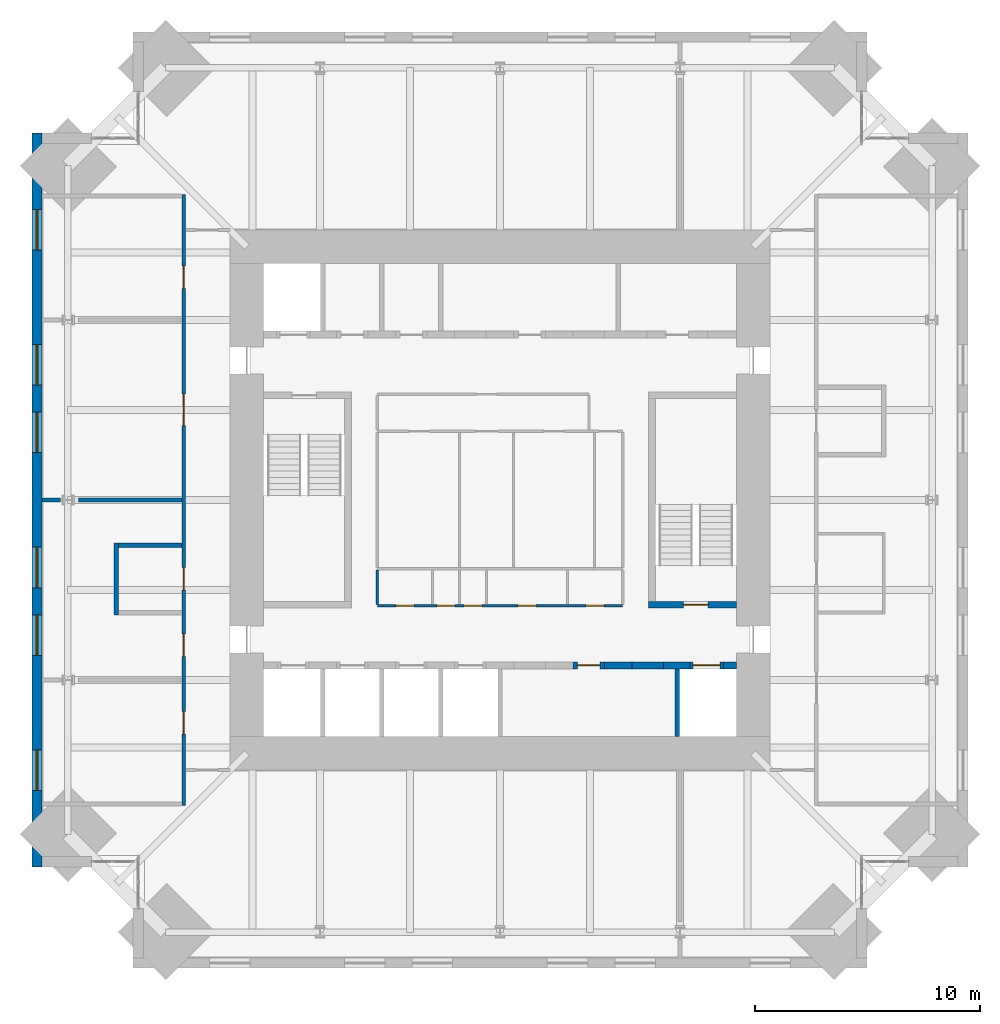
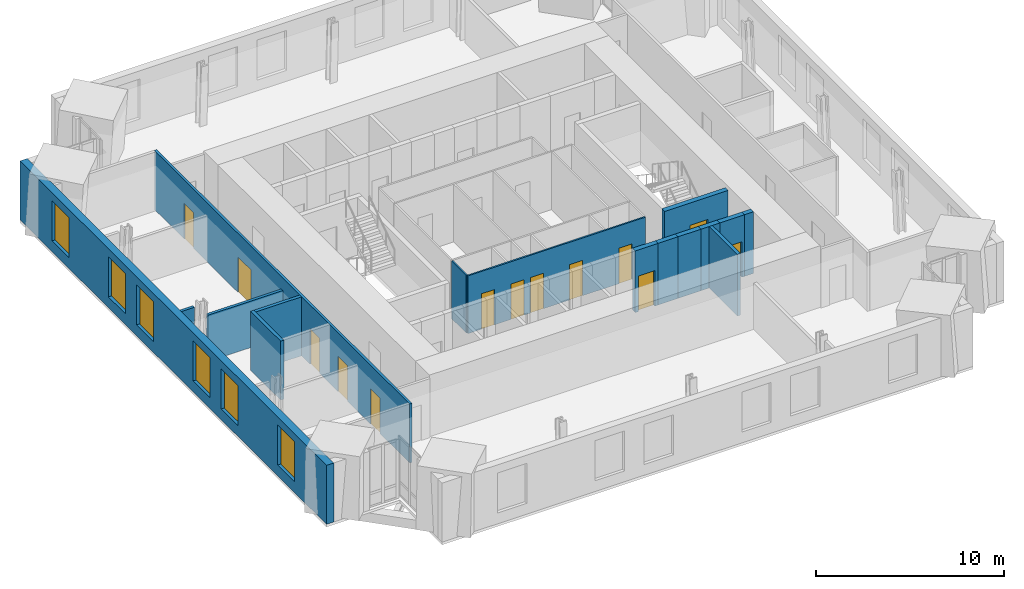
# One storey, part 11 of 15: 16 walls, 13 doors, 6 windows, 19 openings.
"""IFC4 building model written with IfcOpenShell, lengths in metres."""

from ifc_helpers import new_model, si_unit, direction, frame, frame_2d, origin, place, context, subcontext, project, spatial, rectangle, extrude, material, layer, layer_set, type_object, element, fill, save


model = new_model("IFC4")

# Units and contexts
model_context = context("Model", 3, precision=1e-05, world=origin(), true_north=direction((0.0, 1.0)))
body_context = subcontext(model_context, "Body", "Model", "MODEL_VIEW")
ifc_project = project(units=[si_unit("LENGTHUNIT", "METRE"), si_unit("AREAUNIT", "SQUARE_METRE"), si_unit("VOLUMEUNIT", "CUBIC_METRE"), si_unit("PLANEANGLEUNIT", "RADIAN"), si_unit("MASSUNIT", "GRAM", prefix="KILO")], contexts=[model_context])

# Site, building, storey
site_placement = place(None, origin())
site = spatial("IfcSite", under=ifc_project, at=site_placement, CompositionType="ELEMENT")
building_placement = place(site_placement, origin())
building = spatial("IfcBuilding", under=site, at=building_placement, Name="Peilmerk Tower", CompositionType="ELEMENT")
storey_placement = place(building_placement, frame((0.0, 0.0, 289.800048828125)))
storey = spatial("IfcBuildingStorey", under=building, at=storey_placement, Name="L65", CompositionType="ELEMENT", Elevation=289.800048828125)

# Wall, openings, windows
ifc_material_1 = material(Name="Precast concrete C45/55, board-marked finish", Category="concrete")
ifc_layer_1 = layer(ifc_material_1, 0.449951171875)
ifc_layer_set_1 = layer_set([ifc_layer_1], Name="Precast concrete C45/55, board-marked finish")
wall_type_1 = type_object("IfcWallType", Name="EW1 450 precast concrete facade wall, board-marked", PredefinedType="SOLIDWALL", material=ifc_layer_set_1)
wall_1_placement = place(storey_placement, frame((-20.574951171875, 16.300048828125, 0.0), z_axis=(0.0, 0.0, 1.0), x_axis=(0.0, -1.0, 0.0)))
wall_1 = element("IfcWall", 1, at=wall_1_placement, inside=storey, type_object=wall_type_1, Name="Facade wall W L65", PredefinedType="SOLIDWALL", context=body_context, shape_type="SweptSolid", body=[
    extrude(rectangle(XDim=32.60009765625, YDim=0.449951171875, at=frame_2d((16.300048828125, 0.0))), origin(), (0.0, 0.0, 1.0), 3.829833984375),
])
opening_1_placement = place(wall_1_placement, frame((3.39990234375, 0.0, 0.699951171875)))
opening_1 = element("IfcOpeningElement", 2, at=opening_1_placement, cuts=wall_1, Name="Opening W1", PredefinedType="OPENING", context=body_context, shape_type="SweptSolid", body=[
    extrude(rectangle(XDim=1.800048828125, YDim=2.60009765625, at=frame_2d((0.89990234375, 1.300048828125))), frame((0.0, 0.23486328125, 0.0), z_axis=(0.0, -1.0, 0.0), x_axis=(1.0, 0.0, 0.0)), (0.0, 0.0, 1.0), 0.469970703125),
])
opening_2_placement = place(wall_1_placement, frame((9.39990234375, 0.0, 0.699951171875)))
opening_2 = element("IfcOpeningElement", 3, at=opening_2_placement, cuts=wall_1, Name="Opening W1", PredefinedType="OPENING", context=body_context, shape_type="SweptSolid", body=[
    extrude(rectangle(XDim=1.800048828125, YDim=2.60009765625, at=frame_2d((0.89990234375, 1.300048828125))), frame((0.0, 0.23486328125, 0.0), z_axis=(0.0, -1.0, 0.0), x_axis=(1.0, 0.0, 0.0)), (0.0, 0.0, 1.0), 0.469970703125),
])
opening_3_placement = place(wall_1_placement, frame((12.39990234375, 0.0, 0.699951171875)))
opening_3 = element("IfcOpeningElement", 4, at=opening_3_placement, cuts=wall_1, Name="Opening W1", PredefinedType="OPENING", context=body_context, shape_type="SweptSolid", body=[
    extrude(rectangle(XDim=1.800048828125, YDim=2.60009765625, at=frame_2d((0.89990234375, 1.300048828125))), frame((0.0, 0.23486328125, 0.0), z_axis=(0.0, -1.0, 0.0), x_axis=(1.0, 0.0, 0.0)), (0.0, 0.0, 1.0), 0.469970703125),
])
opening_4_placement = place(wall_1_placement, frame((18.39990234375, 0.0, 0.699951171875)))
opening_4 = element("IfcOpeningElement", 5, at=opening_4_placement, cuts=wall_1, Name="Opening W1", PredefinedType="OPENING", context=body_context, shape_type="SweptSolid", body=[
    extrude(rectangle(XDim=1.800048828125, YDim=2.60009765625, at=frame_2d((0.89990234375, 1.300048828125))), frame((0.0, 0.23486328125, 0.0), z_axis=(0.0, -1.0, 0.0), x_axis=(1.0, 0.0, 0.0)), (0.0, 0.0, 1.0), 0.469970703125),
])
opening_5_placement = place(wall_1_placement, frame((21.39990234375, 0.0, 0.699951171875)))
opening_5 = element("IfcOpeningElement", 6, at=opening_5_placement, cuts=wall_1, Name="Opening W1", PredefinedType="OPENING", context=body_context, shape_type="SweptSolid", body=[
    extrude(rectangle(XDim=1.800048828125, YDim=2.60009765625, at=frame_2d((0.89990234375, 1.300048828125))), frame((0.0, 0.23486328125, 0.0), z_axis=(0.0, -1.0, 0.0), x_axis=(1.0, 0.0, 0.0)), (0.0, 0.0, 1.0), 0.469970703125),
])
opening_6_placement = place(wall_1_placement, frame((27.39990234375, 0.0, 0.699951171875)))
opening_6 = element("IfcOpeningElement", 7, at=opening_6_placement, cuts=wall_1, Name="Opening W1", PredefinedType="OPENING", context=body_context, shape_type="SweptSolid", body=[
    extrude(rectangle(XDim=1.800048828125, YDim=2.60009765625, at=frame_2d((0.89990234375, 1.300048828125))), frame((0.0, 0.23486328125, 0.0), z_axis=(0.0, -1.0, 0.0), x_axis=(1.0, 0.0, 0.0)), (0.0, 0.0, 1.0), 0.469970703125),
])
ifc_material_2 = material(Name="Aluminium frame, clear double glazing", Category="aluminium")
window_type = type_object("IfcWindowType", Name="W1 1800x2600 office window", PartitioningType="SINGLE_PANEL", PredefinedType="WINDOW", material=ifc_material_2)
window_1_placement = place(opening_1_placement, origin())
window_1 = element("IfcWindow", 8, at=window_1_placement, inside=storey, type_object=window_type, Name="Window W1 L65", OverallHeight=2.60009765625, OverallWidth=1.800048828125, PartitioningType="SINGLE_PANEL", PredefinedType="WINDOW", context=body_context, shape_type="SweptSolid", body=[
    extrude(rectangle(XDim=1.800048828125, YDim=2.60009765625, at=frame_2d((0.89990234375, 1.300048828125))), frame((0.0, 0.030029296875, 0.0), z_axis=(0.0, -1.0, 0.0), x_axis=(1.0, 0.0, 0.0)), (0.0, 0.0, 1.0), 0.06005859375),
])
fill(opening_1, window_1)
window_2_placement = place(opening_2_placement, origin())
window_2 = element("IfcWindow", 9, at=window_2_placement, inside=storey, type_object=window_type, Name="Window W1 L65", OverallHeight=2.60009765625, OverallWidth=1.800048828125, PartitioningType="SINGLE_PANEL", PredefinedType="WINDOW", context=body_context, shape_type="SweptSolid", body=[
    extrude(rectangle(XDim=1.800048828125, YDim=2.60009765625, at=frame_2d((0.89990234375, 1.300048828125))), frame((0.0, 0.030029296875, 0.0), z_axis=(0.0, -1.0, 0.0), x_axis=(1.0, 0.0, 0.0)), (0.0, 0.0, 1.0), 0.06005859375),
])
fill(opening_2, window_2)
window_3_placement = place(opening_3_placement, origin())
window_3 = element("IfcWindow", 10, at=window_3_placement, inside=storey, type_object=window_type, Name="Window W1 L65", OverallHeight=2.60009765625, OverallWidth=1.800048828125, PartitioningType="SINGLE_PANEL", PredefinedType="WINDOW", context=body_context, shape_type="SweptSolid", body=[
    extrude(rectangle(XDim=1.800048828125, YDim=2.60009765625, at=frame_2d((0.89990234375, 1.300048828125))), frame((0.0, 0.030029296875, 0.0), z_axis=(0.0, -1.0, 0.0), x_axis=(1.0, 0.0, 0.0)), (0.0, 0.0, 1.0), 0.06005859375),
])
fill(opening_3, window_3)
window_4_placement = place(opening_4_placement, origin())
window_4 = element("IfcWindow", 11, at=window_4_placement, inside=storey, type_object=window_type, Name="Window W1 L65", OverallHeight=2.60009765625, OverallWidth=1.800048828125, PartitioningType="SINGLE_PANEL", PredefinedType="WINDOW", context=body_context, shape_type="SweptSolid", body=[
    extrude(rectangle(XDim=1.800048828125, YDim=2.60009765625, at=frame_2d((0.89990234375, 1.300048828125))), frame((0.0, 0.030029296875, 0.0), z_axis=(0.0, -1.0, 0.0), x_axis=(1.0, 0.0, 0.0)), (0.0, 0.0, 1.0), 0.06005859375),
])
fill(opening_4, window_4)
window_5_placement = place(opening_5_placement, origin())
window_5 = element("IfcWindow", 12, at=window_5_placement, inside=storey, type_object=window_type, Name="Window W1 L65", OverallHeight=2.60009765625, OverallWidth=1.800048828125, PartitioningType="SINGLE_PANEL", PredefinedType="WINDOW", context=body_context, shape_type="SweptSolid", body=[
    extrude(rectangle(XDim=1.800048828125, YDim=2.60009765625, at=frame_2d((0.89990234375, 1.300048828125))), frame((0.0, 0.030029296875, 0.0), z_axis=(0.0, -1.0, 0.0), x_axis=(1.0, 0.0, 0.0)), (0.0, 0.0, 1.0), 0.06005859375),
])
fill(opening_5, window_5)
window_6_placement = place(opening_6_placement, origin())
window_6 = element("IfcWindow", 13, at=window_6_placement, inside=storey, type_object=window_type, Name="Window W1 L65", OverallHeight=2.60009765625, OverallWidth=1.800048828125, PartitioningType="SINGLE_PANEL", PredefinedType="WINDOW", context=body_context, shape_type="SweptSolid", body=[
    extrude(rectangle(XDim=1.800048828125, YDim=2.60009765625, at=frame_2d((0.89990234375, 1.300048828125))), frame((0.0, 0.030029296875, 0.0), z_axis=(0.0, -1.0, 0.0), x_axis=(1.0, 0.0, 0.0)), (0.0, 0.0, 1.0), 0.06005859375),
])
fill(opening_6, window_6)

# Wall, openings, doors
ifc_material_3 = material(Name="Calcium silicate block", Category="masonry")
ifc_layer_2 = layer(ifc_material_3, 0.14990234375)
ifc_layer_set_2 = layer_set([ifc_layer_2], Name="Calcium silicate block")
wall_type_2 = type_object("IfcWallType", Name="IW1 150 corridor partition, EI 60", PredefinedType="PARTITIONING", material=ifc_layer_set_2)
wall_2_placement = place(storey_placement, frame((-14.050048828125, 13.574951171875, 0.0), z_axis=(0.0, 0.0, 1.0), x_axis=(0.0, -1.0, 0.0)))
wall_2 = element("IfcWall", 14, at=wall_2_placement, inside=storey, type_object=wall_type_2, Name="Corridor wall W L65", PredefinedType="PARTITIONING", context=body_context, shape_type="SweptSolid", body=[
    extrude(rectangle(XDim=27.14990234375, YDim=0.14990234375, at=frame_2d((13.574951171875, 0.0))), origin(), (0.0, 0.0, 1.0), 3.829833984375),
])
opening_7_placement = place(wall_2_placement, frame((22.97509765625, 0.0, 0.0)))
opening_7 = element("IfcOpeningElement", 15, at=opening_7_placement, cuts=wall_2, Name="Opening D1", PredefinedType="OPENING", context=body_context, shape_type="SweptSolid", body=[
    extrude(rectangle(XDim=1.0, YDim=2.300048828125, at=frame_2d((0.5, 1.14990234375))), frame((0.0, 0.0849609375, 0.0), z_axis=(0.0, -1.0, 0.0), x_axis=(1.0, 0.0, 0.0)), (0.0, 0.0, 1.0), 0.169921875),
])
opening_8_placement = place(wall_2_placement, frame((19.52490234375, 0.0, 0.0)))
opening_8 = element("IfcOpeningElement", 16, at=opening_8_placement, cuts=wall_2, Name="Opening D1", PredefinedType="OPENING", context=body_context, shape_type="SweptSolid", body=[
    extrude(rectangle(XDim=1.0, YDim=2.300048828125, at=frame_2d((0.5, 1.14990234375))), frame((0.0, 0.0849609375, 0.0), z_axis=(0.0, -1.0, 0.0), x_axis=(1.0, 0.0, 0.0)), (0.0, 0.0, 1.0), 0.169921875),
])
opening_9_placement = place(wall_2_placement, frame((8.875, 0.0, 0.0)))
opening_9 = element("IfcOpeningElement", 17, at=opening_9_placement, cuts=wall_2, Name="Opening D8", PredefinedType="OPENING", context=body_context, shape_type="SweptSolid", body=[
    extrude(rectangle(XDim=1.39990234375, YDim=2.300048828125, at=frame_2d((0.699951171875, 1.14990234375))), frame((0.0, 0.0849609375, 0.0), z_axis=(0.0, -1.0, 0.0), x_axis=(1.0, 0.0, 0.0)), (0.0, 0.0, 1.0), 0.169921875),
])
opening_10_placement = place(wall_2_placement, frame((3.175048828125, 0.0, 0.0)))
opening_10 = element("IfcOpeningElement", 18, at=opening_10_placement, cuts=wall_2, Name="Opening D1", PredefinedType="OPENING", context=body_context, shape_type="SweptSolid", body=[
    extrude(rectangle(XDim=1.0, YDim=2.300048828125, at=frame_2d((0.5, 1.14990234375))), frame((0.0, 0.0849609375, 0.0), z_axis=(0.0, -1.0, 0.0), x_axis=(1.0, 0.0, 0.0)), (0.0, 0.0, 1.0), 0.169921875),
])
opening_11_placement = place(wall_2_placement, frame((16.574951171875, 0.0, 0.0)))
opening_11 = element("IfcOpeningElement", 19, at=opening_11_placement, cuts=wall_2, Name="Opening D1", PredefinedType="OPENING", context=body_context, shape_type="SweptSolid", body=[
    extrude(rectangle(XDim=1.0, YDim=2.300048828125, at=frame_2d((0.5, 1.14990234375))), frame((0.0, 0.0849609375, 0.0), z_axis=(0.0, -1.0, 0.0), x_axis=(1.0, 0.0, 0.0)), (0.0, 0.0, 1.0), 0.169921875),
])
ifc_material_4 = material(Name="Timber door in steel frame", Category="steel")
door_type_1 = type_object("IfcDoorType", Name="D1 1000x2300 room door, EI2 30", OperationType="SINGLE_SWING_LEFT", PredefinedType="DOOR", material=ifc_material_4)
door_1_placement = place(opening_7_placement, frame((1.0, 0.0, 0.0), z_axis=(0.0, 0.0, 1.0), x_axis=(-1.0, 0.0, 0.0)))
door_1 = element("IfcDoor", 20, at=door_1_placement, inside=storey, type_object=door_type_1, Name="Door Executive office L65", OperationType="SINGLE_SWING_LEFT", OverallHeight=2.300048828125, OverallWidth=1.0, PredefinedType="DOOR", context=body_context, shape_type="SweptSolid", body=[
    extrude(rectangle(XDim=1.0, YDim=2.300048828125, at=frame_2d((0.5, 1.14990234375))), frame((0.0, 0.02490234375, 0.0), z_axis=(0.0, -1.0, 0.0), x_axis=(1.0, 0.0, 0.0)), (0.0, 0.0, 1.0), 0.050048828125),
])
fill(opening_7, door_1)
door_2_placement = place(opening_8_placement, frame((1.0, 0.0, 0.0), z_axis=(0.0, 0.0, 1.0), x_axis=(-1.0, 0.0, 0.0)))
door_2 = element("IfcDoor", 21, at=door_2_placement, inside=storey, type_object=door_type_1, Name="Door Executive office L65", OperationType="SINGLE_SWING_LEFT", OverallHeight=2.300048828125, OverallWidth=1.0, PredefinedType="DOOR", context=body_context, shape_type="SweptSolid", body=[
    extrude(rectangle(XDim=1.0, YDim=2.300048828125, at=frame_2d((0.5, 1.14990234375))), frame((0.0, 0.02490234375, 0.0), z_axis=(0.0, -1.0, 0.0), x_axis=(1.0, 0.0, 0.0)), (0.0, 0.0, 1.0), 0.050048828125),
])
fill(opening_8, door_2)
door_3_placement = place(opening_10_placement, frame((1.0, 0.0, 0.0), z_axis=(0.0, 0.0, 1.0), x_axis=(-1.0, 0.0, 0.0)))
door_3 = element("IfcDoor", 22, at=door_3_placement, inside=storey, type_object=door_type_1, Name="Door Executive office L65", OperationType="SINGLE_SWING_LEFT", OverallHeight=2.300048828125, OverallWidth=1.0, PredefinedType="DOOR", context=body_context, shape_type="SweptSolid", body=[
    extrude(rectangle(XDim=1.0, YDim=2.300048828125, at=frame_2d((0.5, 1.14990234375))), frame((0.0, 0.02490234375, 0.0), z_axis=(0.0, -1.0, 0.0), x_axis=(1.0, 0.0, 0.0)), (0.0, 0.0, 1.0), 0.050048828125),
])
fill(opening_10, door_3)
door_4_placement = place(opening_11_placement, frame((1.0, 0.0, 0.0), z_axis=(0.0, 0.0, 1.0), x_axis=(-1.0, 0.0, 0.0)))
door_4 = element("IfcDoor", 23, at=door_4_placement, inside=storey, type_object=door_type_1, Name="Door Staff room L65", OperationType="SINGLE_SWING_LEFT", OverallHeight=2.300048828125, OverallWidth=1.0, PredefinedType="DOOR", context=body_context, shape_type="SweptSolid", body=[
    extrude(rectangle(XDim=1.0, YDim=2.300048828125, at=frame_2d((0.5, 1.14990234375))), frame((0.0, 0.02490234375, 0.0), z_axis=(0.0, -1.0, 0.0), x_axis=(1.0, 0.0, 0.0)), (0.0, 0.0, 1.0), 0.050048828125),
])
fill(opening_11, door_4)
door_type_2 = type_object("IfcDoorType", Name="D8 1400x2300 leaf-and-a-half door, EI2 30", OperationType="DOUBLE_DOOR_SINGLE_SWING", PredefinedType="DOOR", material=ifc_material_4)
door_5_placement = place(opening_9_placement, frame((1.39990234375, 0.0, 0.0), z_axis=(0.0, 0.0, 1.0), x_axis=(-1.0, 0.0, 0.0)))
door_5 = element("IfcDoor", 24, at=door_5_placement, inside=storey, type_object=door_type_2, Name="Door Board room L65", OperationType="DOUBLE_DOOR_SINGLE_SWING", OverallHeight=2.300048828125, OverallWidth=1.39990234375, PredefinedType="DOOR", context=body_context, shape_type="SweptSolid", body=[
    extrude(rectangle(XDim=1.39990234375, YDim=2.300048828125, at=frame_2d((0.699951171875, 1.14990234375))), frame((0.0, 0.02490234375, 0.0), z_axis=(0.0, -1.0, 0.0), x_axis=(1.0, 0.0, 0.0)), (0.0, 0.0, 1.0), 0.050048828125),
])
fill(opening_9, door_5)

# Walls
ifc_layer_3 = layer(ifc_material_3, 0.199951171875)
ifc_layer_set_3 = layer_set([ifc_layer_3], Name="Calcium silicate block")
wall_type_3 = type_object("IfcWallType", Name="IW2 200 room separating wall, EI 120", PredefinedType="PARTITIONING", material=ifc_layer_set_3)
wall_3_placement = place(storey_placement, frame((-17.050048828125, -5.10009765625, 0.0), z_axis=(0.0, 0.0, 1.0), x_axis=(0.0, 1.0, 0.0)))
element("IfcWall", 25, at=wall_3_placement, inside=storey, type_object=wall_type_3, Name="Room separating wall Staff room L65", PredefinedType="PARTITIONING", context=body_context, shape_type="SweptSolid", body=[
    extrude(rectangle(XDim=3.2001953125, YDim=0.199951171875, at=frame_2d((1.60009765625, 0.0))), origin(), (0.0, 0.0, 1.0), 3.829833984375),
])
wall_4_placement = place(storey_placement, frame((-14.125, -2.0, 0.0), z_axis=(0.0, 0.0, 1.0), x_axis=(-1.0, 0.0, 0.0)))
element("IfcWall", 26, at=wall_4_placement, inside=storey, type_object=wall_type_3, Name="Room separating wall Staff room L65", PredefinedType="PARTITIONING", context=body_context, shape_type="SweptSolid", body=[
    extrude(rectangle(XDim=2.824951171875, YDim=0.199951171875, at=frame_2d((1.41259765625, 0.0))), origin(), (0.0, 0.0, 1.0), 3.829833984375),
])

# Wall, opening, door
ifc_material_5 = material(Name="Concrete C35/45", Category="concrete")
ifc_layer_4 = layer(ifc_material_5, 0.300048828125)
ifc_layer_set_4 = layer_set([ifc_layer_4], Name="Concrete C35/45")
wall_type_4 = type_object("IfcWallType", Name="IW3 300 concrete stair enclosure wall, EI 120", PredefinedType="SOLIDWALL", material=ifc_layer_set_4)
wall_5_placement = place(storey_placement, frame((10.5, -4.64990234375, 0.0), z_axis=(0.0, 0.0, 1.0), x_axis=(-1.0, 0.0, 0.0)))
wall_5 = element("IfcWall", 27, at=wall_5_placement, inside=storey, type_object=wall_type_4, Name="Stair 2 enclosure L65", PredefinedType="SOLIDWALL", context=body_context, shape_type="SweptSolid", body=[
    extrude(rectangle(XDim=3.89990234375, YDim=0.300048828125, at=frame_2d((1.949951171875, 0.0))), origin(), (0.0, 0.0, 1.0), 3.75),
])
opening_12_placement = place(wall_5_placement, frame((1.25, 0.0, 0.0)))
opening_12 = element("IfcOpeningElement", 28, at=opening_12_placement, cuts=wall_5, Name="Opening D4", PredefinedType="OPENING", context=body_context, shape_type="SweptSolid", body=[
    extrude(rectangle(XDim=1.10009765625, YDim=2.300048828125, at=frame_2d((0.550048828125, 1.14990234375))), frame((0.0, 0.159912109375, 0.0), z_axis=(0.0, -1.0, 0.0), x_axis=(1.0, 0.0, 0.0)), (0.0, 0.0, 1.0), 0.320068359375),
])
ifc_material_6 = material(Name="Steel door in steel frame", Category="steel")
door_type_3 = type_object("IfcDoorType", Name="D4 1100x2300 stair door, EI2 60", OperationType="SINGLE_SWING_RIGHT", PredefinedType="DOOR", material=ifc_material_6)
door_6_placement = place(opening_12_placement, frame((1.10009765625, 0.0, 0.0), z_axis=(0.0, 0.0, 1.0), x_axis=(-1.0, 0.0, 0.0)))
door_6 = element("IfcDoor", 29, at=door_6_placement, inside=storey, type_object=door_type_3, Name="Stair 2 door L65", OperationType="SINGLE_SWING_RIGHT", OverallHeight=2.300048828125, OverallWidth=1.10009765625, PredefinedType="DOOR", context=body_context, shape_type="SweptSolid", body=[
    extrude(rectangle(XDim=1.10009765625, YDim=2.300048828125, at=frame_2d((0.550048828125, 1.14990234375))), frame((0.0, 0.02490234375, 0.0), z_axis=(0.0, -1.0, 0.0), x_axis=(1.0, 0.0, 0.0)), (0.0, 0.0, 1.0), 0.050048828125),
])
fill(opening_12, door_6)

# Wall, openings, doors
ifc_material_7 = material(Name="Calcium silicate board on steel studs", Category="steel")
ifc_layer_5 = layer(ifc_material_7, 0.10009765625)
ifc_layer_set_5 = layer_set([ifc_layer_5], Name="Calcium silicate board on steel studs")
wall_type_5 = type_object("IfcWallType", Name="IW5 100 riser enclosure wall, EI 60", PredefinedType="PARTITIONING", material=ifc_layer_set_5)
wall_6_placement = place(storey_placement, frame((5.449951171875, -4.699951171875, 0.0), z_axis=(0.0, 0.0, 1.0), x_axis=(-1.0, 0.0, 0.0)))
wall_6 = element("IfcWall", 30, at=wall_6_placement, inside=storey, type_object=wall_type_5, Name="Riser wall L65", PredefinedType="PARTITIONING", context=body_context, shape_type="SweptSolid", body=[
    extrude(rectangle(XDim=10.89990234375, YDim=0.10009765625, at=frame_2d((5.449951171875, 0.0))), origin(), (0.0, 0.0, 1.0), 3.75),
])
opening_13_placement = place(wall_6_placement, frame((9.27490234375, 0.0, 0.0)))
opening_13 = element("IfcOpeningElement", 31, at=opening_13_placement, cuts=wall_6, Name="Opening D7", PredefinedType="OPENING", context=body_context, shape_type="SweptSolid", body=[
    extrude(rectangle(XDim=0.800048828125, YDim=2.300048828125, at=frame_2d((0.39990234375, 1.14990234375))), frame((0.0, 0.06005859375, 0.0), z_axis=(0.0, -1.0, 0.0), x_axis=(1.0, 0.0, 0.0)), (0.0, 0.0, 1.0), 0.1201171875),
])
opening_14_placement = place(wall_6_placement, frame((7.449951171875, 0.0, 0.0)))
opening_14 = element("IfcOpeningElement", 32, at=opening_14_placement, cuts=wall_6, Name="Opening D7", PredefinedType="OPENING", context=body_context, shape_type="SweptSolid", body=[
    extrude(rectangle(XDim=0.800048828125, YDim=2.300048828125, at=frame_2d((0.39990234375, 1.14990234375))), frame((0.0, 0.06005859375, 0.0), z_axis=(0.0, -1.0, 0.0), x_axis=(1.0, 0.0, 0.0)), (0.0, 0.0, 1.0), 0.1201171875),
])
opening_15_placement = place(wall_6_placement, frame((6.25, 0.0, 0.0)))
opening_15 = element("IfcOpeningElement", 33, at=opening_15_placement, cuts=wall_6, Name="Opening D7", PredefinedType="OPENING", context=body_context, shape_type="SweptSolid", body=[
    extrude(rectangle(XDim=0.800048828125, YDim=2.300048828125, at=frame_2d((0.39990234375, 1.14990234375))), frame((0.0, 0.06005859375, 0.0), z_axis=(0.0, -1.0, 0.0), x_axis=(1.0, 0.0, 0.0)), (0.0, 0.0, 1.0), 0.1201171875),
])
opening_16_placement = place(wall_6_placement, frame((3.85009765625, 0.0, 0.0)))
opening_16 = element("IfcOpeningElement", 34, at=opening_16_placement, cuts=wall_6, Name="Opening D7", PredefinedType="OPENING", context=body_context, shape_type="SweptSolid", body=[
    extrude(rectangle(XDim=0.800048828125, YDim=2.300048828125, at=frame_2d((0.39990234375, 1.14990234375))), frame((0.0, 0.06005859375, 0.0), z_axis=(0.0, -1.0, 0.0), x_axis=(1.0, 0.0, 0.0)), (0.0, 0.0, 1.0), 0.1201171875),
])
opening_17_placement = place(wall_6_placement, frame((0.824951171875, 0.0, 0.0)))
opening_17 = element("IfcOpeningElement", 35, at=opening_17_placement, cuts=wall_6, Name="Opening D7", PredefinedType="OPENING", context=body_context, shape_type="SweptSolid", body=[
    extrude(rectangle(XDim=0.800048828125, YDim=2.300048828125, at=frame_2d((0.39990234375, 1.14990234375))), frame((0.0, 0.06005859375, 0.0), z_axis=(0.0, -1.0, 0.0), x_axis=(1.0, 0.0, 0.0)), (0.0, 0.0, 1.0), 0.1201171875),
])
door_type_4 = type_object("IfcDoorType", Name="D7 800x2300 riser access door, EI2 60", OperationType="SINGLE_SWING_RIGHT", PredefinedType="DOOR", material=ifc_material_6)
door_7_placement = place(opening_13_placement, frame((0.800048828125, 0.0, 0.0), z_axis=(0.0, 0.0, 1.0), x_axis=(-1.0, 0.0, 0.0)))
door_7 = element("IfcDoor", 36, at=door_7_placement, inside=storey, type_object=door_type_4, Name="Cleaner's cupboard door L65", OperationType="SINGLE_SWING_RIGHT", OverallHeight=2.300048828125, OverallWidth=0.800048828125, PredefinedType="DOOR", context=body_context, shape_type="SweptSolid", body=[
    extrude(rectangle(XDim=0.800048828125, YDim=2.300048828125, at=frame_2d((0.39990234375, 1.14990234375))), frame((0.0, 0.02490234375, 0.0), z_axis=(0.0, -1.0, 0.0), x_axis=(1.0, 0.0, 0.0)), (0.0, 0.0, 1.0), 0.050048828125),
])
fill(opening_13, door_7)
door_8_placement = place(opening_14_placement, frame((0.800048828125, 0.0, 0.0), z_axis=(0.0, 0.0, 1.0), x_axis=(-1.0, 0.0, 0.0)))
door_8 = element("IfcDoor", 37, at=door_8_placement, inside=storey, type_object=door_type_4, Name="Electrical riser door L65", OperationType="SINGLE_SWING_RIGHT", OverallHeight=2.300048828125, OverallWidth=0.800048828125, PredefinedType="DOOR", context=body_context, shape_type="SweptSolid", body=[
    extrude(rectangle(XDim=0.800048828125, YDim=2.300048828125, at=frame_2d((0.39990234375, 1.14990234375))), frame((0.0, 0.02490234375, 0.0), z_axis=(0.0, -1.0, 0.0), x_axis=(1.0, 0.0, 0.0)), (0.0, 0.0, 1.0), 0.050048828125),
])
fill(opening_14, door_8)
door_9_placement = place(opening_15_placement, frame((0.800048828125, 0.0, 0.0), z_axis=(0.0, 0.0, 1.0), x_axis=(-1.0, 0.0, 0.0)))
door_9 = element("IfcDoor", 38, at=door_9_placement, inside=storey, type_object=door_type_4, Name="Data riser door L65", OperationType="SINGLE_SWING_RIGHT", OverallHeight=2.300048828125, OverallWidth=0.800048828125, PredefinedType="DOOR", context=body_context, shape_type="SweptSolid", body=[
    extrude(rectangle(XDim=0.800048828125, YDim=2.300048828125, at=frame_2d((0.39990234375, 1.14990234375))), frame((0.0, 0.02490234375, 0.0), z_axis=(0.0, -1.0, 0.0), x_axis=(1.0, 0.0, 0.0)), (0.0, 0.0, 1.0), 0.050048828125),
])
fill(opening_15, door_9)
door_10_placement = place(opening_16_placement, frame((0.800048828125, 0.0, 0.0), z_axis=(0.0, 0.0, 1.0), x_axis=(-1.0, 0.0, 0.0)))
door_10 = element("IfcDoor", 39, at=door_10_placement, inside=storey, type_object=door_type_4, Name="Comms room door L65", OperationType="SINGLE_SWING_RIGHT", OverallHeight=2.300048828125, OverallWidth=0.800048828125, PredefinedType="DOOR", context=body_context, shape_type="SweptSolid", body=[
    extrude(rectangle(XDim=0.800048828125, YDim=2.300048828125, at=frame_2d((0.39990234375, 1.14990234375))), frame((0.0, 0.02490234375, 0.0), z_axis=(0.0, -1.0, 0.0), x_axis=(1.0, 0.0, 0.0)), (0.0, 0.0, 1.0), 0.050048828125),
])
fill(opening_16, door_10)
door_11_placement = place(opening_17_placement, frame((0.800048828125, 0.0, 0.0), z_axis=(0.0, 0.0, 1.0), x_axis=(-1.0, 0.0, 0.0)))
door_11 = element("IfcDoor", 40, at=door_11_placement, inside=storey, type_object=door_type_4, Name="Water meter room door L65", OperationType="SINGLE_SWING_RIGHT", OverallHeight=2.300048828125, OverallWidth=0.800048828125, PredefinedType="DOOR", context=body_context, shape_type="SweptSolid", body=[
    extrude(rectangle(XDim=0.800048828125, YDim=2.300048828125, at=frame_2d((0.39990234375, 1.14990234375))), frame((0.0, 0.02490234375, 0.0), z_axis=(0.0, -1.0, 0.0), x_axis=(1.0, 0.0, 0.0)), (0.0, 0.0, 1.0), 0.050048828125),
])
fill(opening_17, door_11)

# Walls
wall_7_placement = place(storey_placement, frame((-5.449951171875, -3.10009765625, 0.0), z_axis=(0.0, 0.0, 1.0), x_axis=(0.0, -1.0, 0.0)))
element("IfcWall", 41, at=wall_7_placement, inside=storey, type_object=wall_type_5, Name="Riser wall L65", PredefinedType="PARTITIONING", context=body_context, shape_type="SweptSolid", body=[
    extrude(rectangle(XDim=1.5498046875, YDim=0.10009765625, at=frame_2d((0.77490234375, 0.0))), origin(), (0.0, 0.0, 1.0), 3.75),
])
ifc_layer_6 = layer(ifc_material_3, 0.175048828125)
ifc_layer_set_6 = layer_set([ifc_layer_6], Name="Calcium silicate block")
wall_type_6 = type_object("IfcWallType", Name="IW8 175 tenant separating wall, EI 60", PredefinedType="PARTITIONING", material=ifc_layer_set_6)
wall_8_placement = place(storey_placement, frame((-14.125, 0.0, 0.0), z_axis=(0.0, 0.0, 1.0), x_axis=(-1.0, 0.0, 0.0)))
element("IfcWall", 42, at=wall_8_placement, inside=storey, type_object=wall_type_6, Name="Tenant separating wall W2 L65", PredefinedType="PARTITIONING", context=body_context, shape_type="SweptSolid", body=[
    extrude(rectangle(XDim=4.595458984375, YDim=0.175048828125, at=frame_2d((2.2978515625, 0.0))), origin(), (0.0, 0.0, 1.0), 3.015869140625),
])
wall_9_placement = place(storey_placement, frame((-19.541015625, 0.0, 0.0), z_axis=(0.0, 0.0, 1.0), x_axis=(-1.0, 0.0, 0.0)))
element("IfcWall", 43, at=wall_9_placement, inside=storey, type_object=wall_type_6, Name="Tenant separating wall W2b L65", PredefinedType="PARTITIONING", context=body_context, shape_type="SweptSolid", body=[
    extrude(rectangle(XDim=0.80908203125, YDim=0.175048828125, at=frame_2d((0.404541015625, 0.0))), origin(), (0.0, 0.0, 1.0), 3.829833984375),
])
ifc_layer_7 = layer(ifc_material_3, 0.199951171875)
ifc_layer_set_7 = layer_set([ifc_layer_7], Name="Calcium silicate block")
wall_type_7 = type_object("IfcWallType", Name="SH1 200 shaft dividing wall, EI 120", PredefinedType="PARTITIONING", material=ifc_layer_set_7)
wall_10_placement = place(storey_placement, frame((7.875, -10.5, 0.0), z_axis=(0.0, 0.0, 1.0), x_axis=(0.0, 1.0, 0.0)))
element("IfcWall", 44, at=wall_10_placement, inside=storey, type_object=wall_type_7, Name="Shaft wall S B1 L65", PredefinedType="PARTITIONING", context=body_context, shape_type="SweptSolid", body=[
    extrude(rectangle(XDim=3.0, YDim=0.199951171875, at=frame_2d((1.5, 0.0))), origin(), (0.0, 0.0, 1.0), 4.0),
])

# Wall, opening, door
ifc_layer_8 = layer(ifc_material_3, 0.300048828125)
ifc_layer_set_8 = layer_set([ifc_layer_8], Name="Calcium silicate block")
wall_type_8 = type_object("IfcWallType", Name="SH2 300 lift landing door panel, EI 120", PredefinedType="PARTITIONING", material=ifc_layer_set_8)
wall_11_placement = place(storey_placement, frame((3.237548828125, -7.35009765625, 0.0), z_axis=(0.0, 0.0, 1.0), x_axis=(1.0, 0.0, 0.0)))
wall_11 = element("IfcWall", 45, at=wall_11_placement, inside=storey, type_object=wall_type_8, Name="Lift door panel S B2 L65", PredefinedType="PARTITIONING", context=body_context, shape_type="SweptSolid", body=[
    extrude(rectangle(XDim=1.39990234375, YDim=0.300048828125, at=frame_2d((0.699951171875, 0.0))), origin(), (0.0, 0.0, 1.0), 4.0),
])
opening_18_placement = place(wall_11_placement, frame((0.199951171875, 0.0, 0.0)))
opening_18 = element("IfcOpeningElement", 46, at=opening_18_placement, cuts=wall_11, Name="Opening D10", PredefinedType="OPENING", context=body_context, shape_type="SweptSolid", body=[
    extrude(rectangle(XDim=1.0, YDim=2.300048828125, at=frame_2d((0.5, 1.14990234375))), frame((0.0, 0.159912109375, 0.0), z_axis=(0.0, -1.0, 0.0), x_axis=(1.0, 0.0, 0.0)), (0.0, 0.0, 1.0), 0.320068359375),
])
door_type_5 = type_object("IfcDoorType", Name="D10 1000x2300 core room door, EI2 60", OperationType="SINGLE_SWING_RIGHT", PredefinedType="DOOR", material=ifc_material_6)
door_12_placement = place(opening_18_placement, frame((1.0, 0.0, 0.0), z_axis=(0.0, 0.0, 1.0), x_axis=(-1.0, 0.0, 0.0)))
door_12 = element("IfcDoor", 47, at=door_12_placement, inside=storey, type_object=door_type_5, Name="Door Mail room L65", OperationType="SINGLE_SWING_RIGHT", OverallHeight=2.300048828125, OverallWidth=1.0, PredefinedType="DOOR", context=body_context, shape_type="SweptSolid", body=[
    extrude(rectangle(XDim=1.0, YDim=2.300048828125, at=frame_2d((0.5, 1.14990234375))), frame((0.0, 0.02490234375, 0.0), z_axis=(0.0, -1.0, 0.0), x_axis=(1.0, 0.0, 0.0)), (0.0, 0.0, 1.0), 0.050048828125),
])
fill(opening_18, door_12)

# Wall
wall_12_placement = place(storey_placement, frame((5.862548828125, -7.35009765625, 0.0), z_axis=(0.0, 0.0, 1.0), x_axis=(1.0, 0.0, 0.0)))
element("IfcWall", 48, at=wall_12_placement, inside=storey, type_object=wall_type_8, Name="Lift door panel S B1 L65", PredefinedType="PARTITIONING", context=body_context, shape_type="SweptSolid", body=[
    extrude(rectangle(XDim=1.39990234375, YDim=0.300048828125, at=frame_2d((0.699951171875, 0.0))), origin(), (0.0, 0.0, 1.0), 4.0),
])

# Wall, opening, door
wall_13_placement = place(storey_placement, frame((8.4375, -7.35009765625, 0.0), z_axis=(0.0, 0.0, 1.0), x_axis=(1.0, 0.0, 0.0)))
wall_13 = element("IfcWall", 49, at=wall_13_placement, inside=storey, type_object=wall_type_8, Name="Lift door panel S FL2 L65", PredefinedType="PARTITIONING", context=body_context, shape_type="SweptSolid", body=[
    extrude(rectangle(XDim=1.5, YDim=0.300048828125, at=frame_2d((0.75, 0.0))), origin(), (0.0, 0.0, 1.0), 4.0),
])
opening_19_placement = place(wall_13_placement, frame((0.14990234375, 0.0, 0.0)))
opening_19 = element("IfcOpeningElement", 50, at=opening_19_placement, cuts=wall_13, Name="Opening LD2", PredefinedType="OPENING", context=body_context, shape_type="SweptSolid", body=[
    extrude(rectangle(XDim=1.199951171875, YDim=2.300048828125, at=frame_2d((0.60009765625, 1.14990234375))), frame((0.0, 0.159912109375, 0.0), z_axis=(0.0, -1.0, 0.0), x_axis=(1.0, 0.0, 0.0)), (0.0, 0.0, 1.0), 0.320068359375),
])
ifc_material_8 = material(Name="Stainless steel landing door", Category="steel")
door_type_6 = type_object("IfcDoorType", Name="LD2 1200x2300 lift landing door, sliding, EI2 60", OperationType="SLIDING_TO_LEFT", PredefinedType="DOOR", material=ifc_material_8)
door_13_placement = place(opening_19_placement, origin())
door_13 = element("IfcDoor", 51, at=door_13_placement, inside=storey, type_object=door_type_6, Name="Lift landing door FL2 L65", OperationType="SLIDING_TO_LEFT", OverallHeight=2.300048828125, OverallWidth=1.199951171875, PredefinedType="DOOR", context=body_context, shape_type="SweptSolid", body=[
    extrude(rectangle(XDim=1.199951171875, YDim=2.300048828125, at=frame_2d((0.60009765625, 1.14990234375))), frame((0.0, 0.02490234375, 0.0), z_axis=(0.0, -1.0, 0.0), x_axis=(1.0, 0.0, 0.0)), (0.0, 0.0, 1.0), 0.050048828125),
])
fill(opening_19, door_13)

# Walls
ifc_material_9 = material(Name="Concrete C55/67", Category="concrete")
ifc_layer_9 = layer(ifc_material_9, 0.300048828125)
ifc_layer_set_9 = layer_set([ifc_layer_9], Name="Concrete C55/67")
wall_type_9 = type_object("IfcWallType", Name="SW2 300 lift bank pier", PredefinedType="SHEAR", material=ifc_layer_set_9)
wall_14_placement = place(storey_placement, frame((4.637451171875, -7.35009765625, 0.0), z_axis=(0.0, 0.0, 1.0), x_axis=(1.0, 0.0, 0.0)))
element("IfcWall", 52, at=wall_14_placement, inside=storey, type_object=wall_type_9, Name="Lift bank pier S L65", PredefinedType="SHEAR", context=body_context, shape_type="SweptSolid", body=[
    extrude(rectangle(XDim=1.22509765625, YDim=0.300048828125, at=frame_2d((0.612548828125, 0.0))), origin(), (0.0, 0.0, 1.0), 4.0),
])
wall_15_placement = place(storey_placement, frame((7.262451171875, -7.35009765625, 0.0), z_axis=(0.0, 0.0, 1.0), x_axis=(1.0, 0.0, 0.0)))
element("IfcWall", 53, at=wall_15_placement, inside=storey, type_object=wall_type_9, Name="Lift bank pier S L65", PredefinedType="SHEAR", context=body_context, shape_type="SweptSolid", body=[
    extrude(rectangle(XDim=1.175048828125, YDim=0.300048828125, at=frame_2d((0.58740234375, 0.0))), origin(), (0.0, 0.0, 1.0), 4.0),
])
wall_16_placement = place(storey_placement, frame((9.9375, -7.35009765625, 0.0), z_axis=(0.0, 0.0, 1.0), x_axis=(1.0, 0.0, 0.0)))
element("IfcWall", 54, at=wall_16_placement, inside=storey, type_object=wall_type_9, Name="Lift bank pier S L65", PredefinedType="SHEAR", context=body_context, shape_type="SweptSolid", body=[
    extrude(rectangle(XDim=0.5625, YDim=0.300048828125, at=frame_2d((0.28125, 0.0))), origin(), (0.0, 0.0, 1.0), 4.0),
])

save(model, "model.ifc")
